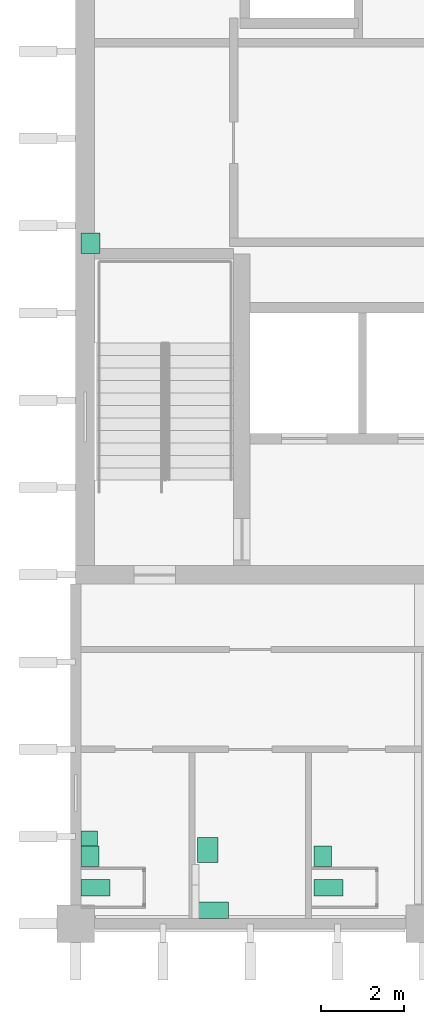
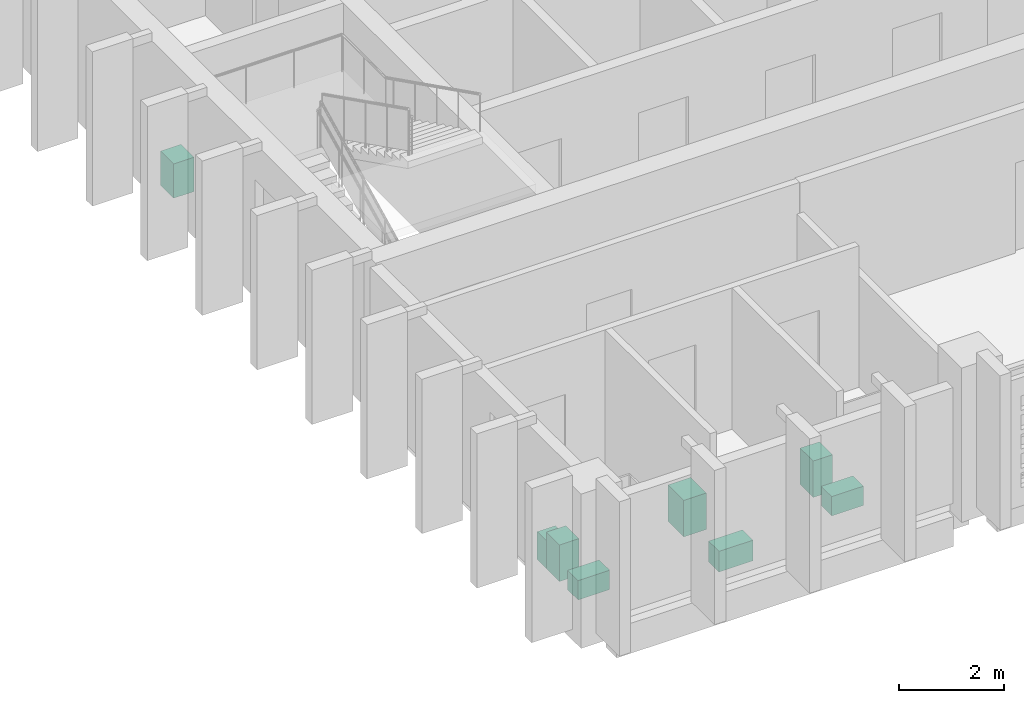
# One storey, part 13 of 13: 8 sanitary terminals.
"""IFC4 building model written with IfcOpenShell, lengths in metres."""

from ifc_helpers import new_model, si_unit, direction, frame, origin, origin_2d, place, context, subcontext, project, spatial, rectangle, extrude, material, type_object, element, save


model = new_model("IFC4")

# Units and contexts
model_context = context("Model", 3, precision=1e-05, world=origin(), true_north=direction((0.0, 1.0)))
body_context = subcontext(model_context, "Body", "Model", "MODEL_VIEW")
ifc_project = project(units=[si_unit("LENGTHUNIT", "METRE"), si_unit("AREAUNIT", "SQUARE_METRE"), si_unit("VOLUMEUNIT", "CUBIC_METRE"), si_unit("PLANEANGLEUNIT", "RADIAN"), si_unit("MASSUNIT", "GRAM", prefix="KILO")], contexts=[model_context])

# Site, building, storey
site_placement = place(None, origin())
site = spatial("IfcSite", under=ifc_project, at=site_placement, CompositionType="ELEMENT")
building_placement = place(site_placement, origin())
building = spatial("IfcBuilding", under=site, at=building_placement, Name="Rulbaag Community and Learning Centre", CompositionType="ELEMENT")
storey_placement = place(building_placement, frame((0.0, 0.0, 25.199951171875)))
storey = spatial("IfcBuildingStorey", under=building, at=storey_placement, Name="L06", CompositionType="ELEMENT", Elevation=25.199951171875)

# Sanitary terminals
ifc_material_1 = material(Name="Vitreous china", Category="ceramic")
sanitary_terminal_type_1 = type_object("IfcSanitaryTerminalType", Name="BS-500", PredefinedType="WASHHANDBASIN", material=ifc_material_1)
for number, where, z_axis, x_axis, name in (
    (1, (143.14501953125, 85.6298828125, 0.0), (0.0, 0.0, 1.0), (1.0, 0.0, 0.0), "Basin 81"),
    (2, (148.7451171875, 85.6298828125, 0.0), (0.0, 0.0, 1.0), (1.0, 0.0, 0.0), "Basin 82"),
):
    element("IfcSanitaryTerminal", number, at=place(storey_placement, frame(where, z_axis=z_axis, x_axis=x_axis)), inside=storey, type_object=sanitary_terminal_type_1, Name=name, PredefinedType="WASHHANDBASIN", context=body_context, shape_type="SweptSolid", body=[
        extrude(rectangle(XDim=0.429931640625, YDim=0.5, at=origin_2d()), origin(), (0.0, 0.0, 1.0), 0.85009765625),
    ])
sanitary_terminal_type_2 = type_object("IfcSanitaryTerminalType", Name="BS-AC-600", PredefinedType="WASHHANDBASIN", material=ifc_material_1)
sanitary_terminal_1_placement = place(storey_placement, frame((145.97998046875, 85.780029296875, 0.0), z_axis=(0.0, 0.0, 1.0), x_axis=(1.0, 0.0, 0.0)))
element("IfcSanitaryTerminal", 3, at=sanitary_terminal_1_placement, inside=storey, type_object=sanitary_terminal_type_2, Name="Basin 83", PredefinedType="WASHHANDBASIN", context=body_context, shape_type="SweptSolid", body=[
    extrude(rectangle(XDim=0.5, YDim=0.60009765625, at=origin_2d()), origin(), (0.0, 0.0, 1.0), 0.85009765625),
])
ifc_material_2 = material(Name="Stainless steel", Category="steel")
sanitary_terminal_type_3 = type_object("IfcSanitaryTerminalType", Name="SK-CL-500", PredefinedType="SINK", material=ifc_material_2)
sanitary_terminal_2_placement = place(storey_placement, frame((143.155029296875, 100.3798828125, 0.0), z_axis=(0.0, 0.0, 1.0), x_axis=(1.0, 0.0, 0.0)))
element("IfcSanitaryTerminal", 4, at=sanitary_terminal_2_placement, inside=storey, type_object=sanitary_terminal_type_3, Name="Sink 15", PredefinedType="SINK", context=body_context, shape_type="SweptSolid", body=[
    extrude(rectangle(XDim=0.449951171875, YDim=0.5, at=origin_2d()), origin(), (0.0, 0.0, 1.0), 0.800048828125),
])
sanitary_terminal_type_4 = type_object("IfcSanitaryTerminalType", Name="UR-350", PredefinedType="URINAL", material=ifc_material_1)
sanitary_terminal_3_placement = place(storey_placement, frame((143.1298828125, 86.054931640625, 0.0), z_axis=(0.0, 0.0, 1.0), x_axis=(1.0, 0.0, 0.0)))
element("IfcSanitaryTerminal", 5, at=sanitary_terminal_3_placement, inside=storey, type_object=sanitary_terminal_type_4, Name="Urinal 156", PredefinedType="URINAL", context=body_context, shape_type="SweptSolid", body=[
    extrude(rectangle(XDim=0.39990234375, YDim=0.35009765625, at=origin_2d()), origin(), (0.0, 0.0, 1.0), 0.64990234375),
])
sanitary_terminal_type_5 = type_object("IfcSanitaryTerminalType", Name="WC-400", PredefinedType="TOILETPAN", material=ifc_material_1)
for number, where, z_axis, x_axis, name in (
    (6, (143.280029296875, 84.8701171875, 0.0), (0.0, 0.0, 1.0), (1.0, 0.0, 0.0), "WC 140"),
    (7, (148.8798828125, 84.8701171875, 0.0), (0.0, 0.0, 1.0), (1.0, 0.0, 0.0), "WC 141"),
):
    element("IfcSanitaryTerminal", number, at=place(storey_placement, frame(where, z_axis=z_axis, x_axis=x_axis)), inside=storey, type_object=sanitary_terminal_type_5, Name=name, PredefinedType="TOILETPAN", context=body_context, shape_type="SweptSolid", body=[
        extrude(rectangle(XDim=0.699951171875, YDim=0.39990234375, at=origin_2d()), origin(), (0.0, 0.0, 1.0), 0.449951171875),
    ])
sanitary_terminal_type_6 = type_object("IfcSanitaryTerminalType", Name="WC-AC-480", PredefinedType="TOILETPAN", material=ifc_material_1)
sanitary_terminal_4_placement = place(storey_placement, frame((146.10498046875, 84.330078125, 0.0), z_axis=(0.0, 0.0, 1.0), x_axis=(1.0, 0.0, 0.0)))
element("IfcSanitaryTerminal", 8, at=sanitary_terminal_4_placement, inside=storey, type_object=sanitary_terminal_type_6, Name="WC 142", PredefinedType="TOILETPAN", context=body_context, shape_type="SweptSolid", body=[
    extrude(rectangle(XDim=0.75, YDim=0.39990234375, at=origin_2d()), origin(), (0.0, 0.0, 1.0), 0.47998046875),
])

save(model, "model.ifc")
